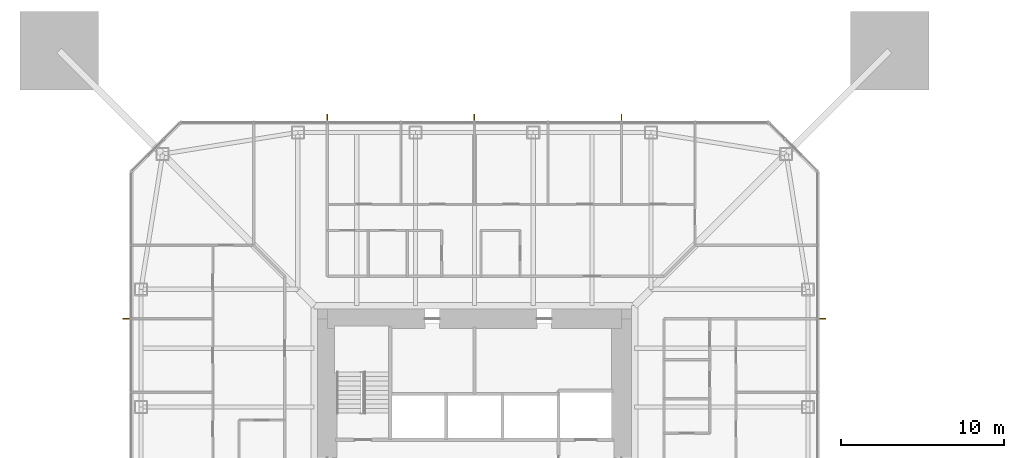
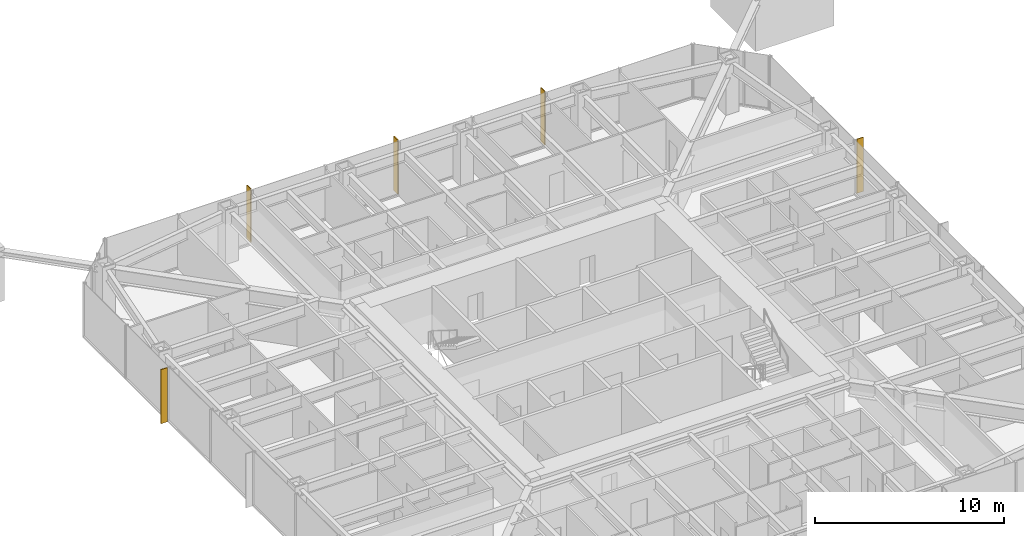
# One storey, part 24 of 25: 5 shading devices.
"""IFC4 building model written with IfcOpenShell, lengths in metres."""

from ifc_helpers import new_model, si_unit, direction, frame, origin, origin_2d, place, context, subcontext, project, spatial, rectangle, extrude, material, layer, layer_set, type_object, element, save


model = new_model("IFC4")

# Units and contexts
model_context = context("Model", 3, precision=1e-05, world=origin(), true_north=direction((0.0, 1.0)))
body_context = subcontext(model_context, "Body", "Model", "MODEL_VIEW")
ifc_project = project(units=[si_unit("LENGTHUNIT", "METRE"), si_unit("AREAUNIT", "SQUARE_METRE"), si_unit("VOLUMEUNIT", "CUBIC_METRE"), si_unit("PLANEANGLEUNIT", "RADIAN"), si_unit("MASSUNIT", "GRAM", prefix="KILO")], contexts=[model_context])

# Site, building, storey
site_placement = place(None, origin())
site = spatial("IfcSite", under=ifc_project, at=site_placement, CompositionType="ELEMENT")
building_placement = place(site_placement, origin())
building = spatial("IfcBuilding", under=site, at=building_placement, Name="Iwan Alto Co-Living Towers", CompositionType="ELEMENT")
storey_placement = place(building_placement, frame((0.0, 0.0, 84.0)))
storey = spatial("IfcBuildingStorey", under=building, at=storey_placement, Name="L22", CompositionType="ELEMENT", Elevation=84.0)

# Shading devices
ifc_material = material(Name="Aluminium 6063-T6 bronze anodised", Category="aluminium")
ifc_layer = layer(ifc_material, 0.050048828125)
ifc_layer_set = layer_set([ifc_layer], Name="BRONZE FIN 50X400")
shading_device_type = type_object("IfcShadingDeviceType", Name="BRONZE FIN 50X400", PredefinedType="USERDEFINED", material=ifc_layer_set)
for number, where, z_axis, x_axis, name in (
    (1, (21.300048828125, 9.0, 0.0), (0.0, 0.0, 1.0), (0.0, 1.0, 0.0), "Bronze fin L22"),
    (2, (9.0, 21.300048828125, 0.0), (0.0, 0.0, 1.0), (-1.0, 0.0, 0.0), "Bronze fin L22"),
    (3, (0.0, 21.300048828125, 0.0), (0.0, 0.0, 1.0), (-1.0, 0.0, 0.0), "Bronze fin L22"),
    (4, (-9.0, 21.300048828125, 0.0), (0.0, 0.0, 1.0), (-1.0, 0.0, 0.0), "Bronze fin L22"),
    (5, (-21.300048828125, 9.0, 0.0), (0.0, 0.0, 1.0), (0.0, -1.0, 0.0), "Bronze fin L22"),
):
    element("IfcShadingDevice", number, at=place(storey_placement, frame(where, z_axis=z_axis, x_axis=x_axis)), inside=storey, type_object=shading_device_type, Name=name, ObjectType="LOUVER", PredefinedType="USERDEFINED", context=body_context, shape_type="SweptSolid", body=[
        extrude(rectangle(XDim=0.050048828125, YDim=0.39990234375, at=origin_2d()), origin(), (0.0, 0.0, 1.0), 3.5),
    ])

save(model, "model.ifc")
